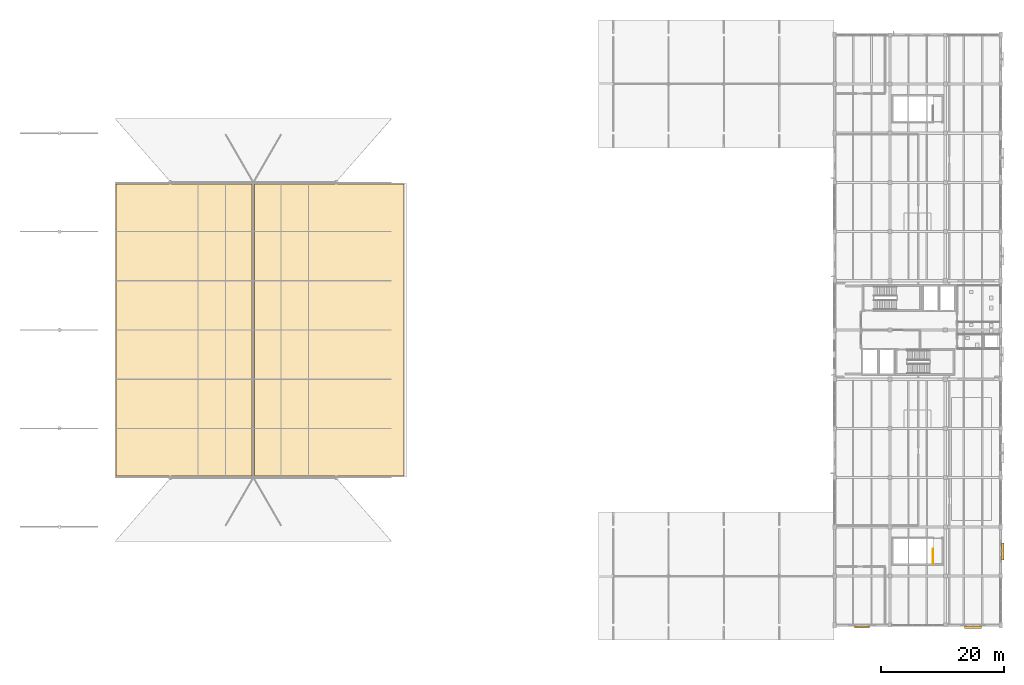
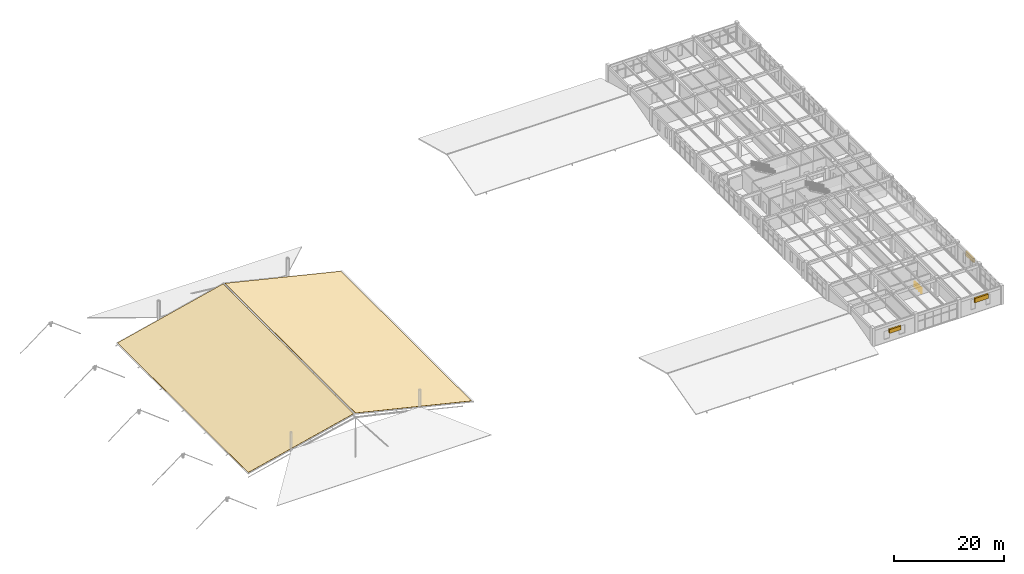
# One storey, part 68 of 71: 3 shading devices, 2 coverings, 1 railing.
"""IFC4 building model written with IfcOpenShell, lengths in metres."""

import ifcopenshell
import ifcopenshell.guid

model = None  # the IFC model being written
_history = None  # IfcOwnerHistory: only IFC2X3 demands one
_inside = {}  # id of a spatial element -> (the spatial element, [elements in it])
_under = {}  # id of a project, library or spatial element -> (it, [spatial elements below it])
_declared = {}  # id of a project -> (the project, [libraries it declares])
_typed = {}  # id of a type object -> (the type object, [elements of that type])
_made_of = {}  # id of a material, layer set ... -> (it, [elements and type objects made of it])


def new_model(schema):
    """Start an empty IFC model of exactly this schema.

    Asked for "IFC4X3", IfcOpenShell would pick the latest addendum, in which some entities
    have other attributes; the version numbers below select the first issue.
    IFC2X3 requires an IfcOwnerHistory on every rooted entity: one is made here for all.
    """
    global model, _history
    if schema == "IFC4X3":
        model = ifcopenshell.file(schema_version=(4, 3, 0, 0))
    else:
        model = ifcopenshell.file(schema=schema)
    _inside.clear()
    _under.clear()
    _declared.clear()
    _typed.clear()
    _made_of.clear()
    _history = None
    if model.schema == "IFC2X3":
        org = make("IfcOrganization", Name="unknown")
        user = make(
            "IfcPersonAndOrganization",
            ThePerson=make("IfcPerson", FamilyName="unknown"),
            TheOrganization=org,
        )
        app = make(
            "IfcApplication",
            ApplicationDeveloper=org,
            Version="unknown",
            ApplicationFullName="unknown",
            ApplicationIdentifier="unknown",
        )
        _history = make(
            "IfcOwnerHistory",
            OwningUser=user,
            OwningApplication=app,
            ChangeAction="ADDED",
            CreationDate=0,
        )
    return model


def make(cls, **values):
    """One entity of the class cls with the attributes given. An attribute that is None is left unset."""
    return model.create_entity(
        cls, **{name: value for name, value in values.items() if value is not None}
    )


def rooted(cls, **values):
    """An entity with a GlobalId (a new one), such as an element, a storey or a relation."""
    return make(cls, GlobalId=ifcopenshell.guid.new(), OwnerHistory=_history, **values)


def si_unit(unit_type, name, prefix=None):
    """IfcSIUnit, for example si_unit("LENGTHUNIT", "METRE", prefix="MILLI")."""
    return make("IfcSIUnit", UnitType=unit_type, Prefix=prefix, Name=name)


def derived_unit(unit_type, elements):
    """IfcDerivedUnit: a product of units, each with its exponent."""
    return make(
        "IfcDerivedUnit",
        Elements=[
            make("IfcDerivedUnitElement", Unit=unit, Exponent=power)
            for unit, power in elements
        ],
        UnitType=unit_type,
    )


def assignment(units):
    """IfcUnitAssignment: the units of a project."""
    return None if units is None else make("IfcUnitAssignment", Units=units)


def point(xyz):
    """IfcCartesianPoint."""
    return None if xyz is None else make("IfcCartesianPoint", Coordinates=xyz)


def direction(xyz):
    """IfcDirection."""
    return None if xyz is None else make("IfcDirection", DirectionRatios=xyz)


def frame(location, z_axis=None, x_axis=None):
    """IfcAxis2Placement3D, a coordinate frame: its origin and axes. An axis left out is left unset."""
    return make(
        "IfcAxis2Placement3D",
        Location=point(location),
        Axis=direction(z_axis),
        RefDirection=direction(x_axis),
    )


def frame_2d(location, x_axis=None):
    """IfcAxis2Placement2D, a coordinate frame in the plane: its origin and x axis."""
    return make(
        "IfcAxis2Placement2D", Location=point(location), RefDirection=direction(x_axis)
    )


def origin():
    """The frame at (0, 0, 0) with its axes left unset."""
    return frame((0.0, 0.0, 0.0))


def origin_2d():
    """The frame at (0, 0) in the plane with its x axis left unset."""
    return frame_2d((0.0, 0.0))


def place(relative_to, where):
    """IfcLocalPlacement: puts the frame where relative to a parent placement (None: the world)."""
    return make(
        "IfcLocalPlacement", PlacementRelTo=relative_to, RelativePlacement=where
    )


def context(
    kind, dimensions, precision=None, world=None, true_north=None, identifier=None
):
    """IfcGeometricRepresentationContext, for example the 3D "Model" context."""
    return make(
        "IfcGeometricRepresentationContext",
        ContextIdentifier=identifier,
        ContextType=kind,
        CoordinateSpaceDimension=dimensions,
        Precision=precision,
        WorldCoordinateSystem=world,
        TrueNorth=true_north,
    )


def subcontext(parent, identifier, kind, view, scale=None):
    """IfcGeometricRepresentationSubContext, for example "Body" below "Model"."""
    return make(
        "IfcGeometricRepresentationSubContext",
        ContextIdentifier=identifier,
        ContextType=kind,
        ParentContext=parent,
        TargetScale=scale,
        TargetView=view,
    )


def project(units=None, contexts=None):
    """IfcProject with its units and contexts."""
    return rooted(
        "IfcProject",
        Name="project",
        RepresentationContexts=contexts,
        UnitsInContext=assignment(units),
    )


def spatial(cls, under=None, at=None, **own):
    """A site, building, storey or space (cls), placed at a placement, below another one or the project."""
    s = rooted(cls, ObjectPlacement=at, **own)
    if under is not None:
        _under.setdefault(under.id(), (under, []))[1].append(s)
    return s


def polyline(points):
    """IfcPolyline through the points."""
    return make("IfcPolyline", Points=[point(p) for p in points])


def profile(cls, at=None, kind="AREA", **sizes):
    """A parametric profile (cls). Its sizes go by their IFC names, for example OverallWidth=200.0."""
    return make(cls, ProfileType=kind, Position=at, **sizes)


def rectangle(**sizes):
    """IfcRectangleProfileDef."""
    return profile("IfcRectangleProfileDef", **sizes)


def circle(**sizes):
    """IfcCircleProfileDef."""
    return profile("IfcCircleProfileDef", **sizes)


def outline(outer, holes=None, kind="AREA"):
    """IfcArbitraryClosedProfileDef: a profile drawn as a closed curve; with holes, ...WithVoids."""
    if holes is None:
        return make("IfcArbitraryClosedProfileDef", ProfileType=kind, OuterCurve=outer)
    return make(
        "IfcArbitraryProfileDefWithVoids",
        ProfileType=kind,
        OuterCurve=outer,
        InnerCurves=holes,
    )


def extrude(swept, where, along, depth):
    """IfcExtrudedAreaSolid: the profile swept, set in the frame where, extruded along a direction by depth."""
    return make(
        "IfcExtrudedAreaSolid",
        SweptArea=swept,
        Position=where,
        ExtrudedDirection=direction(along),
        Depth=depth,
    )


def shape(context_of_items, identifier, shape_type, items):
    """IfcShapeRepresentation: the items that make up one representation, for example the "Body"."""
    return make(
        "IfcShapeRepresentation",
        ContextOfItems=context_of_items,
        RepresentationIdentifier=identifier,
        RepresentationType=shape_type,
        Items=items,
    )


def material(Name=None, Category=None):
    """IfcMaterial."""
    return make("IfcMaterial", Name=Name, Category=Category)


def layer(
    of_material, thickness, ventilated=None, Name=None, Category=None, Priority=None
):
    """IfcMaterialLayer: one layer of a wall or slab, of a material (None: an air gap)."""
    return make(
        "IfcMaterialLayer",
        Material=of_material,
        LayerThickness=thickness,
        IsVentilated=ventilated,
        Name=Name,
        Category=Category,
        Priority=Priority,
    )


def layer_set(layers, Name=None):
    """IfcMaterialLayerSet."""
    return make("IfcMaterialLayerSet", MaterialLayers=layers, LayerSetName=Name)


def made_of(thing, what):
    """Note that an element or type object is made of a material, layer set ...; save() writes the relation."""
    if what is not None:
        _made_of.setdefault(what.id(), (what, []))[1].append(thing)
    return thing


def type_object(cls, material=None, **own):
    """A type object (cls), such as IfcWallType, which elements share."""
    return made_of(rooted(cls, **own), material)


def element(
    cls,
    number,
    at=None,
    inside=None,
    cuts=None,
    type_object=None,
    material=None,
    context=None,
    identifier="Body",
    shape_type=None,
    held_by="IfcProductDefinitionShape",
    body=None,
    shapes=None,
    **own,
):
    """One element of the class cls, such as IfcWall. Its Tag is "e" and its number.

    at: its placement. inside: the storey or other place that contains it. cuts: it is an
    opening in that element (IfcRelVoidsElement). A single representation is given by context,
    identifier, shape_type and body (its items); several are given by shapes. held_by: the class
    of the entity that holds the representations. save() writes the other relations.
    """
    e = rooted(cls, Tag="e%d" % number, ObjectPlacement=at, **own)
    if body is not None:
        shapes = [shape(context, identifier, shape_type, body)]
    if shapes is not None:
        e.Representation = make(held_by, Representations=shapes)
    if inside is not None:
        _inside.setdefault(inside.id(), (inside, []))[1].append(e)
    if cuts is not None:
        rooted(
            "IfcRelVoidsElement", RelatingBuildingElement=cuts, RelatedOpeningElement=e
        )
    if type_object is not None:
        _typed.setdefault(type_object.id(), (type_object, []))[1].append(e)
    return made_of(e, material)


def aggregate(whole, parts):
    """IfcRelAggregates: a whole, such as a stair, and the parts it consists of."""
    return rooted("IfcRelAggregates", RelatingObject=whole, RelatedObjects=parts)


def save(model, path):
    """Write the relations noted so far, then the file.

    IfcRelAggregates (storeys below a building ...), IfcRelContainedInSpatialStructure (elements
    in a storey), IfcRelDefinesByType, IfcRelAssociatesMaterial and IfcRelDeclares: one each for
    every whole, place, type object, material and project.
    """
    for whole, parts in _under.values():
        aggregate(whole, parts)
    for where, things in _inside.values():
        rooted(
            "IfcRelContainedInSpatialStructure",
            RelatedElements=things,
            RelatingStructure=where,
        )
    for kind, things in _typed.values():
        rooted("IfcRelDefinesByType", RelatedObjects=things, RelatingType=kind)
    for what, things in _made_of.values():
        rooted("IfcRelAssociatesMaterial", RelatedObjects=things, RelatingMaterial=what)
    for by, libraries in _declared.values():
        rooted("IfcRelDeclares", RelatingContext=by, RelatedDefinitions=libraries)
    model.write(path)


model = new_model("IFC4")

# Units and contexts
model_context = context("Model", 3, precision=1e-05, world=origin(), true_north=direction((0.0, 1.0)))
body_context = subcontext(model_context, "Body", "Model", "MODEL_VIEW")
ifc_project = project(units=[si_unit("LENGTHUNIT", "METRE"), si_unit("AREAUNIT", "SQUARE_METRE"), si_unit("VOLUMEUNIT", "CUBIC_METRE"), si_unit("PLANEANGLEUNIT", "RADIAN"), si_unit("MASSUNIT", "GRAM", prefix="KILO"), derived_unit("THERMALTRANSMITTANCEUNIT", [(si_unit("MASSUNIT", "GRAM", prefix="KILO"), 1), (si_unit("TIMEUNIT", "SECOND"), -3), (si_unit("THERMODYNAMICTEMPERATUREUNIT", "KELVIN"), -1)])], contexts=[model_context])

# Site, building, storey
site_placement = place(None, origin())
site = spatial("IfcSite", under=ifc_project, at=site_placement, CompositionType="ELEMENT")
building_placement = place(site_placement, origin())
building = spatial("IfcBuilding", under=site, at=building_placement, Name="Zhenchuan Archway Interchange", CompositionType="ELEMENT")
storey_placement = place(building_placement, frame((0.0, 0.0, 18.60009765625)))
storey = spatial("IfcBuildingStorey", under=building, at=storey_placement, Name="L04", CompositionType="ELEMENT", Elevation=18.60009765625)

# Coverings
ifc_material_1 = material(Name="Translucent PTFE Tensile Membrane", Category="membrane")
ifc_layer = layer(ifc_material_1, 0.030029296875)
ifc_layer_set = layer_set([ifc_layer], Name="Translucent PTFE Tensile Membrane")
covering_type = type_object("IfcCoveringType", Name="COV_ROOF_PTFE", PredefinedType="ROOFING", material=ifc_layer_set)
covering_1_placement = place(storey_placement, frame((27.199951171875, 32.300048828125, -1.862060546875), z_axis=(-0.233370108524, 0.0, 0.972387984524), x_axis=(0.972387984524, 0.0, 0.233370108524)))
element("IfcCovering", 1, at=covering_1_placement, inside=storey, type_object=covering_type, Name="Roof weatherproofing covering COV:ROOF:CONC-W", PredefinedType="ROOFING", context=body_context, shape_type="SweptSolid", body=[
    extrude(outline(polyline([(0.0, 0.0), (22.72765398994262, 0.0), (22.72765398994262, 47.39990234375), (0.0, 47.39990234375), (0.0, 0.0)])), origin(), (0.0, 0.0, -1.0), 0.030029296875),
])
covering_2_placement = place(storey_placement, frame((49.699951171875, 32.300048828125, 3.44189453125), z_axis=(0.233373691469, 0.0, 0.972387124622), x_axis=(0.972387124622, 0.0, -0.233373691469)))
element("IfcCovering", 2, at=covering_2_placement, inside=storey, type_object=covering_type, Name="Roof weatherproofing covering COV:ROOF:CONC-E", PredefinedType="ROOFING", context=body_context, shape_type="SweptSolid", body=[
    extrude(outline(polyline([(0.0, 0.0), (24.99009726972338, 0.0), (24.99009726972338, 47.39990234375), (0.0, 47.39990234375), (0.0, 0.0)])), origin(), (0.0, 0.0, -1.0), 0.030029296875),
])

# Railing
ifc_material_2 = material(Name="Painted Galvanised Steel", Category="steel")
railing_type = type_object("IfcRailingType", Name="RL_GUARD_1150", PredefinedType="GUARDRAIL", material=ifc_material_2)
railing_placement = place(storey_placement, frame((160.014892578125, 18.014892578125, 0.0)))
element("IfcRailing", 3, at=railing_placement, inside=storey, type_object=railing_type, Name="Stair ST-O4 top landing guard (L04)", PredefinedType="GUARDRAIL", context=body_context, shape_type="SweptSolid", body=[
    extrude(circle(Radius=0.02392578125, at=origin_2d()), frame((0.0, 0.0, 1.1259765625), z_axis=(0.0, 1.0, 0.0), x_axis=(-1.0, 0.0, 0.0)), (0.0, 0.0, 1.0), 2.420166015625),
    extrude(circle(Radius=0.01611328125, at=origin_2d()), frame((0.0, 0.0, 0.63232421875), z_axis=(0.0, 1.0, 0.0), x_axis=(-1.0, 0.0, 0.0)), (0.0, 0.0, 1.0), 2.420166015625),
    extrude(circle(Radius=0.01611328125, at=origin_2d()), frame((0.0, 0.0, 0.1201171875), z_axis=(0.0, 1.0, 0.0), x_axis=(-1.0, 0.0, 0.0)), (0.0, 0.0, 1.0), 2.420166015625),
    extrude(circle(Radius=0.02099609375, at=origin_2d()), origin(), (0.0, 0.0, 1.0), 1.1259765625),
    extrude(circle(Radius=0.02099609375, at=origin_2d()), frame((0.0, 0.806640625, 0.0)), (0.0, 0.0, 1.0), 1.1259765625),
    extrude(circle(Radius=0.02099609375, at=origin_2d()), frame((0.0, 1.613525390625, 0.0)), (0.0, 0.0, 1.0), 1.1259765625),
    extrude(circle(Radius=0.02099609375, at=origin_2d()), frame((0.0, 2.420166015625, 0.0)), (0.0, 0.0, 1.0), 1.1259765625),
])

# Shading devices
ifc_material_3 = material(Name="Anodised Aluminium", Category="aluminium")
shading_device_type_1 = type_object("IfcShadingDeviceType", Name="SHD_LOUVRE_1", PredefinedType="JALOUSIE", material=ifc_material_3)
for number, where, z_axis, x_axis, name in (
    (4, (166.52490234375, 7.666015625, 2.47509765625), (0.0, 0.0, 1.0), (-1.0, 0.0, 0.0), "Monsoon storm-louvre jalousie L04-126"),
    (5, (171.333984375, 20.0, 2.47509765625), (0.0, 0.0, 1.0), (0.0, -1.0, 0.0), "Monsoon storm-louvre jalousie L04-138"),
):
    element("IfcShadingDevice", number, at=place(storey_placement, frame(where, z_axis=z_axis, x_axis=x_axis)), inside=storey, type_object=shading_device_type_1, Name=name, PredefinedType="JALOUSIE", context=body_context, shape_type="SweptSolid", body=[
        extrude(rectangle(XDim=2.800048828125, YDim=0.3798828125, at=origin_2d()), origin(), (0.0, 0.0, 1.0), 0.949951171875),
    ])
shading_device_type_2 = type_object("IfcShadingDeviceType", Name="SHD_LOUVRE_2", PredefinedType="JALOUSIE", material=ifc_material_3)
shading_device_placement = place(storey_placement, frame((148.47509765625, 7.68603515625, 1.9248046875), z_axis=(0.0, 0.0, 1.0), x_axis=(-1.0, 0.0, 0.0)))
element("IfcShadingDevice", 6, at=shading_device_placement, inside=storey, type_object=shading_device_type_2, Name="Monsoon storm-louvre jalousie L04-127", PredefinedType="JALOUSIE", context=body_context, shape_type="SweptSolid", body=[
    extrude(rectangle(XDim=2.39990234375, YDim=0.340087890625, at=origin_2d()), origin(), (0.0, 0.0, 1.0), 0.85009765625),
])

save(model, "model.ifc")
